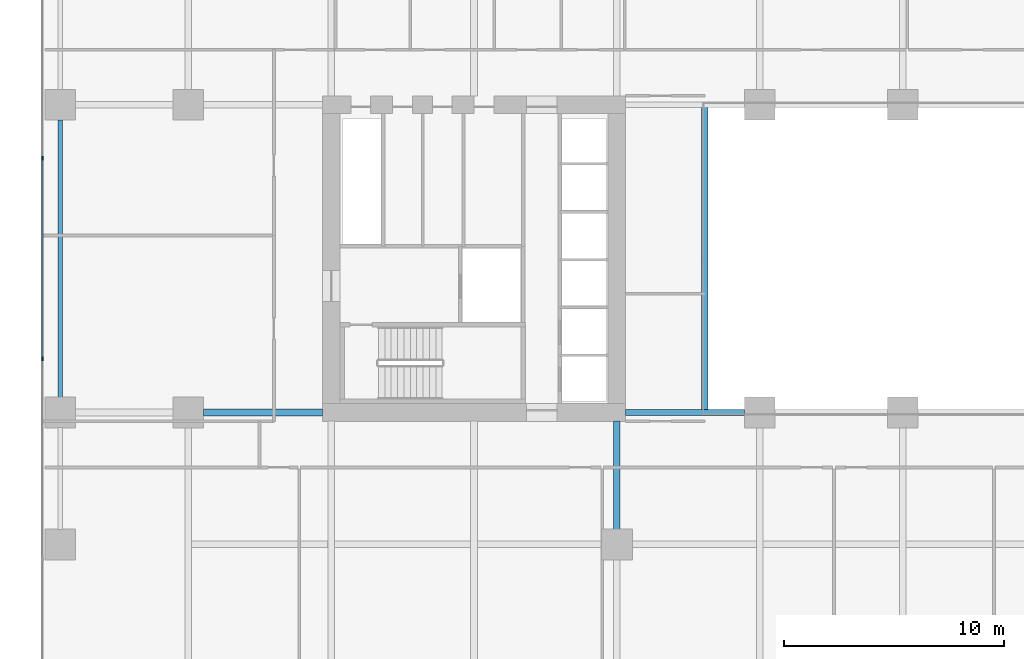
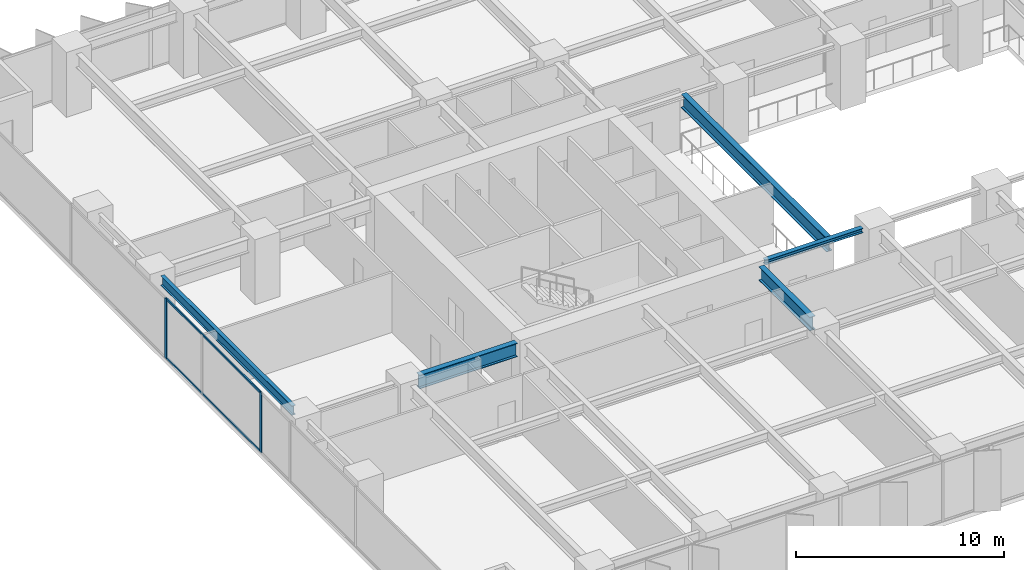
# One storey, part 4 of 20: 5 beams, 4 members, 1 element without a shape of its own.
"""IFC4 building model written with IfcOpenShell, lengths in metres."""

from ifc_helpers import new_model, si_unit, direction, frame, origin, origin_2d, place, context, subcontext, project, spatial, rectangle, i_section, extrude, material, layer, layer_set, material_profile, profile_set, type_object, element, aggregate, save


model = new_model("IFC4")

# Units and contexts
model_context = context("Model", 3, precision=1e-05, world=origin(), true_north=direction((0.0, 1.0)))
body_context = subcontext(model_context, "Body", "Model", "MODEL_VIEW")
ifc_project = project(units=[si_unit("LENGTHUNIT", "METRE"), si_unit("AREAUNIT", "SQUARE_METRE"), si_unit("VOLUMEUNIT", "CUBIC_METRE"), si_unit("PLANEANGLEUNIT", "RADIAN"), si_unit("MASSUNIT", "GRAM", prefix="KILO")], contexts=[model_context])

# Site, building, storey
site_placement = place(None, origin())
site = spatial("IfcSite", under=ifc_project, at=site_placement, CompositionType="ELEMENT")
building_placement = place(site_placement, origin())
building = spatial("IfcBuilding", under=site, at=building_placement, Name="Putna Gate Headquarters", CompositionType="ELEMENT")
storey_placement = place(building_placement, frame((0.0, 0.0, 77.199951171875)))
storey = spatial("IfcBuildingStorey", under=building, at=storey_placement, Name="L18", CompositionType="ELEMENT", Elevation=77.199951171875)

# Beams
ifc_material_1 = material(Name="Steel S355J2", Category="steel")
ifc_material_profile_1 = material_profile(ifc_material_1, i_section(OverallWidth=0.260009765625, OverallDepth=0.260009765625, WebThickness=0.010009765625, FlangeThickness=0.017578125, at=origin_2d()), Name="Steel S355J2")
ifc_profile_set_1 = profile_set([ifc_material_profile_1], Name="Steel S355J2")
beam_type_1 = type_object("IfcBeamType", Name="BM-ATRIUM-HEB260", PredefinedType="BEAM", material=ifc_profile_set_1)
beam_1_placement = place(storey_placement, frame((26.385009765625, 19.0, 3.39013671875), z_axis=(1.0, 0.0, 0.0), x_axis=(0.0, 1.0, 0.0)))
element("IfcBeam", 1, at=beam_1_placement, inside=storey, type_object=beam_type_1, Name="L18 Atrium Edge Beam AS1", PredefinedType="BEAM", context=body_context, shape_type="SweptSolid", body=[
    extrude(i_section(OverallWidth=0.260009765625, OverallDepth=0.260009765625, WebThickness=0.010009765625, FlangeThickness=0.017578125, at=origin_2d()), origin(), (0.0, 0.0, 1.0), 5.427001953125),
])
ifc_material_profile_2 = material_profile(ifc_material_1, i_section(OverallWidth=0.300048828125, OverallDepth=0.800048828125, WebThickness=0.017578125, FlangeThickness=0.032958984375, at=origin_2d()), Name="Steel S355J2")
ifc_profile_set_2 = profile_set([ifc_material_profile_2], Name="Steel S355J2")
beam_type_2 = type_object("IfcBeamType", Name="BM-GIRD-P-HEB800", PredefinedType="USERDEFINED", material=ifc_profile_set_2)
beam_2_placement = place(storey_placement, frame((7.18798828125, 19.0, 3.1201171875), z_axis=(1.0, 0.0, 0.0), x_axis=(0.0, 1.0, 0.0)))
element("IfcBeam", 2, at=beam_2_placement, inside=storey, type_object=beam_type_2, Name="L18 West Wing Girder Y19-2", ObjectType="GIRDER", PredefinedType="USERDEFINED", context=body_context, shape_type="SweptSolid", body=[
    extrude(i_section(OverallWidth=0.300048828125, OverallDepth=0.800048828125, WebThickness=0.017578125, FlangeThickness=0.032958984375, at=origin_2d()), origin(), (0.0, 0.0, 1.0), 5.427001953125),
])
beam_3_placement = place(storey_placement, frame((26.0, 13.68798828125, 3.1201171875), z_axis=(0.0, 1.0, 0.0), x_axis=(-1.0, 0.0, 0.0)))
element("IfcBeam", 3, at=beam_3_placement, inside=storey, type_object=beam_type_2, Name="L18 South Primary Girder X26-2", ObjectType="GIRDER", PredefinedType="USERDEFINED", context=body_context, shape_type="SweptSolid", body=[
    extrude(i_section(OverallWidth=0.300048828125, OverallDepth=0.800048828125, WebThickness=0.017578125, FlangeThickness=0.032958984375, at=origin_2d()), origin(), (0.0, 0.0, 1.0), 4.927001953125),
])
beam_4_placement = place(storey_placement, frame((30.0, 19.010009765625, 3.1201171875), z_axis=(0.0, 1.0, 0.0), x_axis=(-1.0, 0.0, 0.0)))
element("IfcBeam", 4, at=beam_4_placement, inside=storey, type_object=beam_type_2, Name="L18 Atrium Trim Girder AW", ObjectType="GIRDER", PredefinedType="USERDEFINED", context=body_context, shape_type="SweptSolid", body=[
    extrude(i_section(OverallWidth=0.300048828125, OverallDepth=0.800048828125, WebThickness=0.017578125, FlangeThickness=0.032958984375, at=origin_2d()), origin(), (0.0, 0.0, 1.0), 13.97998046875),
])
ifc_material_profile_3 = material_profile(ifc_material_1, i_section(OverallWidth=0.2099609375, OverallDepth=0.550048828125, WebThickness=0.010986328125, FlangeThickness=0.01708984375, at=origin_2d()), Name="Steel S355J2")
ifc_profile_set_3 = profile_set([ifc_material_profile_3], Name="Steel S355J2")
beam_type_3 = type_object("IfcBeamType", Name="BM-SPAN-Z1-IPE550", PredefinedType="SPANDREL", material=ifc_profile_set_3)
beam_5_placement = place(storey_placement, frame((0.679931640625, 19.68798828125, 3.2451171875), z_axis=(0.0, 1.0, 0.0), x_axis=(-1.0, 0.0, 0.0)))
element("IfcBeam", 5, at=beam_5_placement, inside=storey, type_object=beam_type_3, Name="L18 W End Spandrel 2", PredefinedType="SPANDREL", context=body_context, shape_type="SweptSolid", body=[
    extrude(i_section(OverallWidth=0.2099609375, OverallDepth=0.550048828125, WebThickness=0.010986328125, FlangeThickness=0.01708984375, at=origin_2d()), origin(), (0.0, 0.0, 1.0), 12.6240234375),
])

# Curtain wall, members
ifc_material_2 = material(Name="Anodised bronze aluminium curtain wall", Category="aluminium")
ifc_layer = layer(ifc_material_2, 0.179931640625)
ifc_layer_set = layer_set([ifc_layer], Name="Anodised bronze aluminium curtain wall")
curtain_wall_type = type_object("IfcCurtainWallType", Name="CW-SYS-Z1", PredefinedType="USERDEFINED", material=ifc_layer_set)
curtain_wall_placement = place(storey_placement, origin())
curtain_wall = element("IfcCurtainWall", 6, at=curtain_wall_placement, inside=storey, type_object=curtain_wall_type, Name="L18 West Curtain Wall", ObjectType="STICK CURTAIN WALL", PredefinedType="USERDEFINED")
ifc_material_3 = material(Name="Anodised bronze aluminium EN AW-6060", Category="aluminium")
ifc_material_profile_4 = material_profile(ifc_material_3, rectangle(XDim=0.070068359375, YDim=0.179931640625, at=origin_2d()), Name="Anodised bronze aluminium EN AW-6060")
ifc_profile_set_4 = profile_set([ifc_material_profile_4], Name="Anodised bronze aluminium EN AW-6060")
member_type_1 = type_object("IfcMemberType", Name="MULL-CWM-1", PredefinedType="MULLION", material=ifc_profile_set_4)
member_1_placement = place(storey_placement, frame((-0.1201171875, 21.43994140625, 0.0), z_axis=(0.0, 0.0, 1.0), x_axis=(-1.0, 0.0, 0.0)))
member_1 = element("IfcMember", 7, at=member_1_placement, type_object=member_type_1, Name="CWS-1 mullion 3", PredefinedType="MULLION", context=body_context, shape_type="SweptSolid", body=[
    extrude(rectangle(XDim=0.070068359375, YDim=0.179931640625, at=origin_2d()), origin(), (0.0, 0.0, 1.0), 3.52001953125),
])
member_2_placement = place(storey_placement, frame((-0.1201171875, 30.56005859375, 0.0), z_axis=(0.0, 0.0, 1.0), x_axis=(-1.0, 0.0, 0.0)))
member_2 = element("IfcMember", 8, at=member_2_placement, type_object=member_type_1, Name="CWS-1 mullion 4", PredefinedType="MULLION", context=body_context, shape_type="SweptSolid", body=[
    extrude(rectangle(XDim=0.070068359375, YDim=0.179931640625, at=origin_2d()), origin(), (0.0, 0.0, 1.0), 3.52001953125),
])
ifc_material_profile_5 = material_profile(ifc_material_3, rectangle(XDim=0.06494140625, YDim=0.1201171875, at=origin_2d()), Name="Anodised bronze aluminium EN AW-6060")
ifc_profile_set_5 = profile_set([ifc_material_profile_5], Name="Anodised bronze aluminium EN AW-6060")
member_type_2 = type_object("IfcMemberType", Name="TRAN-CWT-1", PredefinedType="USERDEFINED", material=ifc_profile_set_5)
member_3_placement = place(storey_placement, frame((-0.1201171875, 21.47509765625, 0.032470703125), z_axis=(0.0, 1.0, 0.0), x_axis=(-1.0, 0.0, 0.0)))
member_3 = element("IfcMember", 9, at=member_3_placement, type_object=member_type_2, Name="CWS-1 transom 3.1", ObjectType="TRANSOM", PredefinedType="USERDEFINED", context=body_context, shape_type="SweptSolid", body=[
    extrude(rectangle(XDim=0.06494140625, YDim=0.1201171875, at=origin_2d()), origin(), (0.0, 0.0, 1.0), 9.0498046875),
])
member_4_placement = place(storey_placement, frame((-0.1201171875, 21.47509765625, 3.487548828125), z_axis=(0.0, 1.0, 0.0), x_axis=(-1.0, 0.0, 0.0)))
member_4 = element("IfcMember", 10, at=member_4_placement, type_object=member_type_2, Name="CWS-1 transom 3.2", ObjectType="TRANSOM", PredefinedType="USERDEFINED", context=body_context, shape_type="SweptSolid", body=[
    extrude(rectangle(XDim=0.06494140625, YDim=0.1201171875, at=origin_2d()), origin(), (0.0, 0.0, 1.0), 9.0498046875),
])
aggregate(curtain_wall, [member_1, member_2, member_3, member_4])

save(model, "model.ifc")
